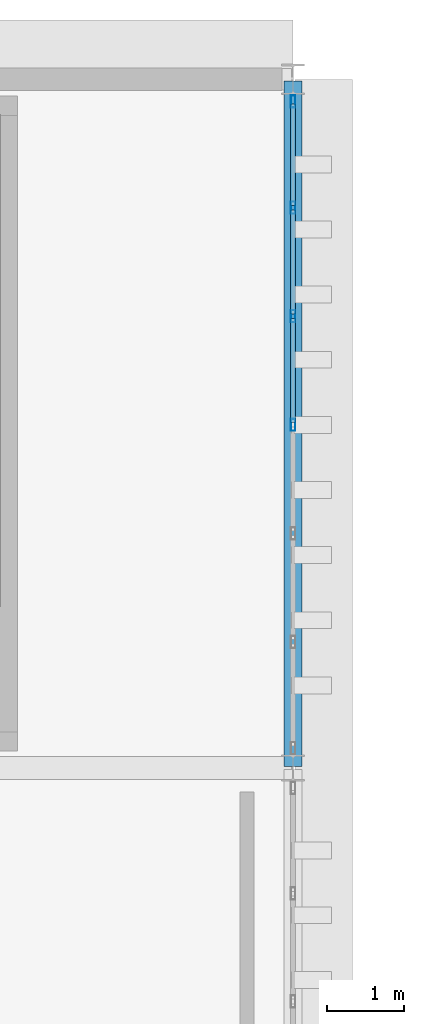
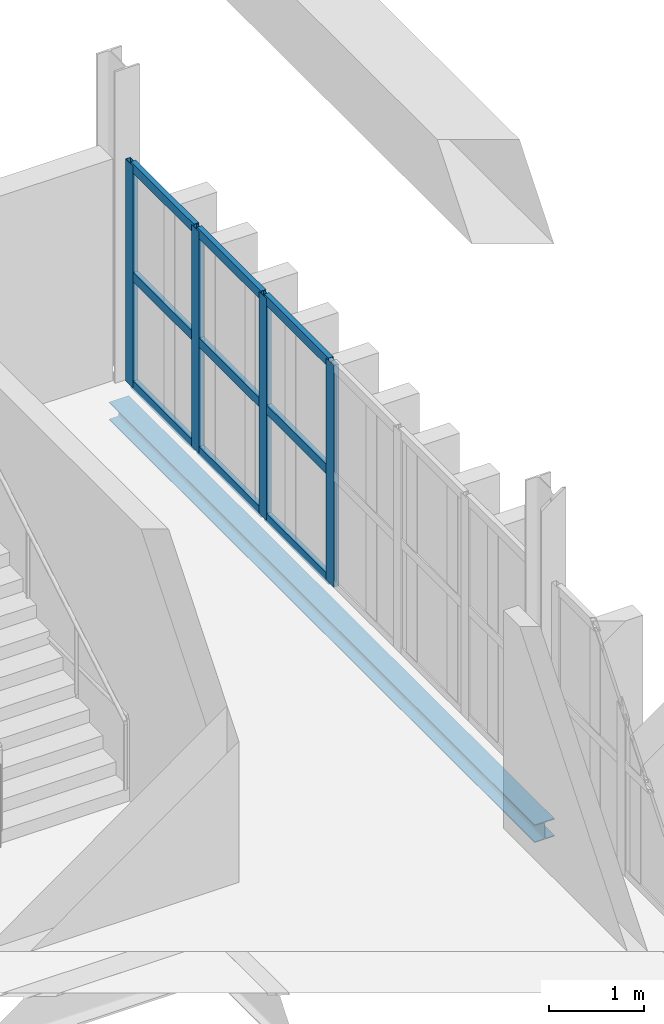
# One storey, part 78 of 102: 13 members, 1 beam, 1 element without a shape of its own.
"""IFC4 building model written with IfcOpenShell, lengths in metres."""

from ifc_helpers import new_model, si_unit, direction, frame, origin, origin_2d, place, context, subcontext, project, spatial, hollow_rectangle, i_section, extrude, material, layer, layer_set, material_profile, profile_set, type_object, element, aggregate, save


model = new_model("IFC4")

# Units and contexts
model_context = context("Model", 3, precision=1e-05, world=origin(), true_north=direction((0.0, 1.0)))
body_context = subcontext(model_context, "Body", "Model", "MODEL_VIEW")
ifc_project = project(units=[si_unit("LENGTHUNIT", "METRE"), si_unit("AREAUNIT", "SQUARE_METRE"), si_unit("VOLUMEUNIT", "CUBIC_METRE"), si_unit("PLANEANGLEUNIT", "RADIAN"), si_unit("MASSUNIT", "GRAM", prefix="KILO")], contexts=[model_context])

# Site, building, storey
site_placement = place(None, origin())
site = spatial("IfcSite", under=ifc_project, at=site_placement, CompositionType="ELEMENT")
building_placement = place(site_placement, origin())
building = spatial("IfcBuilding", under=site, at=building_placement, Name="Barlavento Convention Centre", CompositionType="ELEMENT")
storey_placement = place(building_placement, frame((0.0, 0.0, 22.800048828125)))
storey = spatial("IfcBuildingStorey", under=building, at=storey_placement, Name="L04", CompositionType="ELEMENT", Elevation=22.800048828125)

# Curtain wall, members
ifc_material_1 = material(Name="Powder-coated aluminium and Low-E glass", Category="aluminium")
ifc_layer = layer(ifc_material_1, 0.18505859375)
ifc_layer_set = layer_set([ifc_layer], Name="ARC-CW-CONF-L04")
curtain_wall_type = type_object("IfcCurtainWallType", Name="ARC-CW-CONF-L04", PredefinedType="NOTDEFINED", material=ifc_layer_set)
curtain_wall_placement = place(storey_placement, origin())
curtain_wall = element("IfcCurtainWall", 1, at=curtain_wall_placement, inside=storey, type_object=curtain_wall_type, Name="L04 unitised curtain wall CW09", PredefinedType="NOTDEFINED")
ifc_material_2 = material(Name="Powder-coated aluminium", Category="aluminium")
ifc_material_profile_1 = material_profile(ifc_material_2, hollow_rectangle(XDim=0.06005859375, YDim=0.159912109375, WallThickness=0.00390625, at=origin_2d()), Name="AL-MULL 60x160x4")
ifc_profile_set_1 = profile_set([ifc_material_profile_1], Name="Powder-coated aluminium")
member_type_1 = type_object("IfcMemberType", Name="ARC-CWM-60X160", PredefinedType="MULLION", material=ifc_profile_set_1)
member_1_placement = place(storey_placement, frame((192.0, 94.485107421875, 0.0), z_axis=(0.0, 0.0, 1.0), x_axis=(-1.0, 0.0, 0.0)))
member_1 = element("IfcMember", 2, at=member_1_placement, type_object=member_type_1, Name="CW09 mullion 4", PredefinedType="MULLION", context=body_context, shape_type="SweptSolid", body=[
    extrude(hollow_rectangle(XDim=0.06005859375, YDim=0.159912109375, WallThickness=0.00390625, at=origin_2d()), origin(), (0.0, 0.0, 1.0), 2.849853515625),
])
member_2_placement = place(storey_placement, frame((192.0, 95.9033203125, 0.0), z_axis=(0.0, 0.0, 1.0), x_axis=(-1.0, 0.0, 0.0)))
member_2 = element("IfcMember", 3, at=member_2_placement, type_object=member_type_1, Name="CW09 mullion 5", PredefinedType="MULLION", context=body_context, shape_type="SweptSolid", body=[
    extrude(hollow_rectangle(XDim=0.06005859375, YDim=0.159912109375, WallThickness=0.00390625, at=origin_2d()), origin(), (0.0, 0.0, 1.0), 2.849853515625),
])
member_3_placement = place(storey_placement, frame((192.0, 97.32177734375, 0.0), z_axis=(0.0, 0.0, 1.0), x_axis=(-1.0, 0.0, 0.0)))
member_3 = element("IfcMember", 4, at=member_3_placement, type_object=member_type_1, Name="CW09 mullion 6", PredefinedType="MULLION", context=body_context, shape_type="SweptSolid", body=[
    extrude(hollow_rectangle(XDim=0.06005859375, YDim=0.159912109375, WallThickness=0.00390625, at=origin_2d()), origin(), (0.0, 0.0, 1.0), 2.849853515625),
])
member_4_placement = place(storey_placement, frame((192.0, 98.7099609375, 0.0), z_axis=(0.0, 0.0, 1.0), x_axis=(-1.0, 0.0, 0.0)))
member_4 = element("IfcMember", 5, at=member_4_placement, type_object=member_type_1, Name="CW09 mullion 7", PredefinedType="MULLION", context=body_context, shape_type="SweptSolid", body=[
    extrude(hollow_rectangle(XDim=0.06005859375, YDim=0.159912109375, WallThickness=0.00390625, at=origin_2d()), origin(), (0.0, 0.0, 1.0), 2.849853515625),
])
ifc_material_profile_2 = material_profile(ifc_material_2, hollow_rectangle(XDim=0.06005859375, YDim=0.1201171875, WallThickness=0.00390625, at=origin_2d()), Name="AL-TRAN 60x120x4")
ifc_profile_set_2 = profile_set([ifc_material_profile_2], Name="Powder-coated aluminium")
member_type_2 = type_object("IfcMemberType", Name="ARC-CWT-60X120", PredefinedType="USERDEFINED", material=ifc_profile_set_2)
member_5_placement = place(storey_placement, frame((192.0, 94.514892578125, 0.030029296875), z_axis=(0.0, 1.0, 0.0), x_axis=(-1.0, 0.0, 0.0)))
member_5 = element("IfcMember", 6, at=member_5_placement, type_object=member_type_2, Name="CW09 transom 4.1", ObjectType="TRANSOM", PredefinedType="USERDEFINED", context=body_context, shape_type="SweptSolid", body=[
    extrude(hollow_rectangle(XDim=0.06005859375, YDim=0.1201171875, WallThickness=0.00390625, at=origin_2d()), origin(), (0.0, 0.0, 1.0), 1.3583984375),
])
member_6_placement = place(storey_placement, frame((192.0, 94.514892578125, 1.425048828125), z_axis=(0.0, 1.0, 0.0), x_axis=(-1.0, 0.0, 0.0)))
member_6 = element("IfcMember", 7, at=member_6_placement, type_object=member_type_2, Name="CW09 transom 4.2", ObjectType="TRANSOM", PredefinedType="USERDEFINED", context=body_context, shape_type="SweptSolid", body=[
    extrude(hollow_rectangle(XDim=0.06005859375, YDim=0.1201171875, WallThickness=0.00390625, at=origin_2d()), origin(), (0.0, 0.0, 1.0), 1.3583984375),
])
member_7_placement = place(storey_placement, frame((192.0, 94.514892578125, 2.820068359375), z_axis=(0.0, 1.0, 0.0), x_axis=(-1.0, 0.0, 0.0)))
member_7 = element("IfcMember", 8, at=member_7_placement, type_object=member_type_2, Name="CW09 transom 4.3", ObjectType="TRANSOM", PredefinedType="USERDEFINED", context=body_context, shape_type="SweptSolid", body=[
    extrude(hollow_rectangle(XDim=0.06005859375, YDim=0.1201171875, WallThickness=0.00390625, at=origin_2d()), origin(), (0.0, 0.0, 1.0), 1.3583984375),
])
member_8_placement = place(storey_placement, frame((192.0, 95.933349609375, 0.030029296875), z_axis=(0.0, 1.0, 0.0), x_axis=(-1.0, 0.0, 0.0)))
member_8 = element("IfcMember", 9, at=member_8_placement, type_object=member_type_2, Name="CW09 transom 5.1", ObjectType="TRANSOM", PredefinedType="USERDEFINED", context=body_context, shape_type="SweptSolid", body=[
    extrude(hollow_rectangle(XDim=0.06005859375, YDim=0.1201171875, WallThickness=0.00390625, at=origin_2d()), origin(), (0.0, 0.0, 1.0), 1.3583984375),
])
member_9_placement = place(storey_placement, frame((192.0, 95.933349609375, 1.425048828125), z_axis=(0.0, 1.0, 0.0), x_axis=(-1.0, 0.0, 0.0)))
member_9 = element("IfcMember", 10, at=member_9_placement, type_object=member_type_2, Name="CW09 transom 5.2", ObjectType="TRANSOM", PredefinedType="USERDEFINED", context=body_context, shape_type="SweptSolid", body=[
    extrude(hollow_rectangle(XDim=0.06005859375, YDim=0.1201171875, WallThickness=0.00390625, at=origin_2d()), origin(), (0.0, 0.0, 1.0), 1.3583984375),
])
member_10_placement = place(storey_placement, frame((192.0, 95.933349609375, 2.820068359375), z_axis=(0.0, 1.0, 0.0), x_axis=(-1.0, 0.0, 0.0)))
member_10 = element("IfcMember", 11, at=member_10_placement, type_object=member_type_2, Name="CW09 transom 5.3", ObjectType="TRANSOM", PredefinedType="USERDEFINED", context=body_context, shape_type="SweptSolid", body=[
    extrude(hollow_rectangle(XDim=0.06005859375, YDim=0.1201171875, WallThickness=0.00390625, at=origin_2d()), origin(), (0.0, 0.0, 1.0), 1.3583984375),
])
member_11_placement = place(storey_placement, frame((192.0, 97.3515625, 0.030029296875), z_axis=(0.0, 1.0, 0.0), x_axis=(-1.0, 0.0, 0.0)))
member_11 = element("IfcMember", 12, at=member_11_placement, type_object=member_type_2, Name="CW09 transom 6.1", ObjectType="TRANSOM", PredefinedType="USERDEFINED", context=body_context, shape_type="SweptSolid", body=[
    extrude(hollow_rectangle(XDim=0.06005859375, YDim=0.1201171875, WallThickness=0.00390625, at=origin_2d()), origin(), (0.0, 0.0, 1.0), 1.328369140625),
])
member_12_placement = place(storey_placement, frame((192.0, 97.3515625, 1.425048828125), z_axis=(0.0, 1.0, 0.0), x_axis=(-1.0, 0.0, 0.0)))
member_12 = element("IfcMember", 13, at=member_12_placement, type_object=member_type_2, Name="CW09 transom 6.2", ObjectType="TRANSOM", PredefinedType="USERDEFINED", context=body_context, shape_type="SweptSolid", body=[
    extrude(hollow_rectangle(XDim=0.06005859375, YDim=0.1201171875, WallThickness=0.00390625, at=origin_2d()), origin(), (0.0, 0.0, 1.0), 1.328369140625),
])
member_13_placement = place(storey_placement, frame((192.0, 97.3515625, 2.820068359375), z_axis=(0.0, 1.0, 0.0), x_axis=(-1.0, 0.0, 0.0)))
member_13 = element("IfcMember", 14, at=member_13_placement, type_object=member_type_2, Name="CW09 transom 6.3", ObjectType="TRANSOM", PredefinedType="USERDEFINED", context=body_context, shape_type="SweptSolid", body=[
    extrude(hollow_rectangle(XDim=0.06005859375, YDim=0.1201171875, WallThickness=0.00390625, at=origin_2d()), origin(), (0.0, 0.0, 1.0), 1.328369140625),
])
aggregate(curtain_wall, [member_1, member_2, member_3, member_4, member_5, member_6, member_7, member_8, member_9, member_10, member_11, member_12, member_13])

# Beam
ifc_material_3 = material(Name="Steel S355", Category="steel")
ifc_material_profile_3 = material_profile(ifc_material_3, i_section(OverallWidth=0.239990234375, OverallDepth=0.22998046875, WebThickness=0.007568359375, FlangeThickness=0.011962890625, FilletRadius=0.02099609375, at=origin_2d()), Name="HEA 240")
ifc_profile_set_3 = profile_set([ifc_material_profile_3], Name="Steel S355")
beam_type = type_object("IfcBeamType", Name="STR-BM-SPN-HEA240", PredefinedType="SPANDREL", material=ifc_profile_set_3)
beam_placement = place(storey_placement, frame((192.0, 90.02001953125, -0.47509765625), z_axis=(0.0, 1.0, 0.0), x_axis=(-1.0, 0.0, 0.0)))
element("IfcBeam", 15, at=beam_placement, inside=storey, type_object=beam_type, Name="L04 grid girder SP05", PredefinedType="SPANDREL", context=body_context, shape_type="SweptSolid", body=[
    extrude(i_section(OverallWidth=0.239990234375, OverallDepth=0.22998046875, WebThickness=0.007568359375, FlangeThickness=0.011962890625, FilletRadius=0.02099609375, at=origin_2d()), origin(), (0.0, 0.0, 1.0), 8.9599609375),
])

save(model, "model.ifc")
